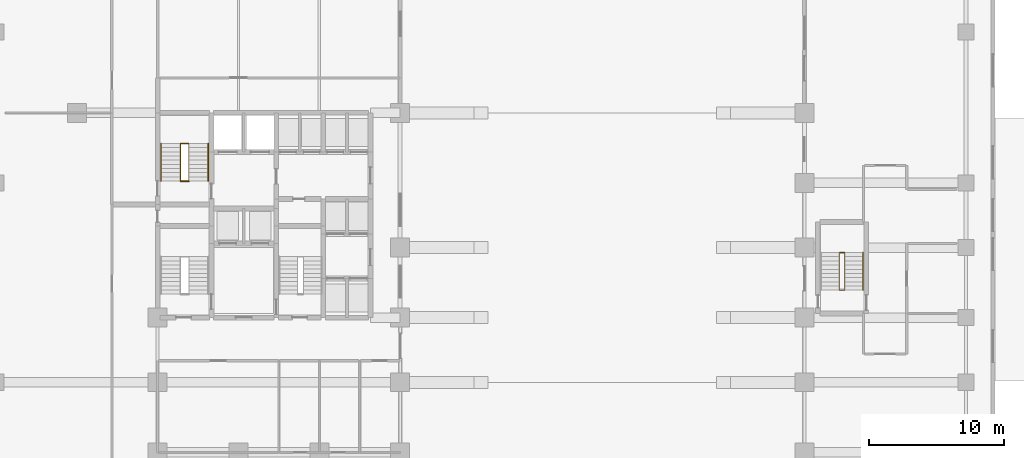
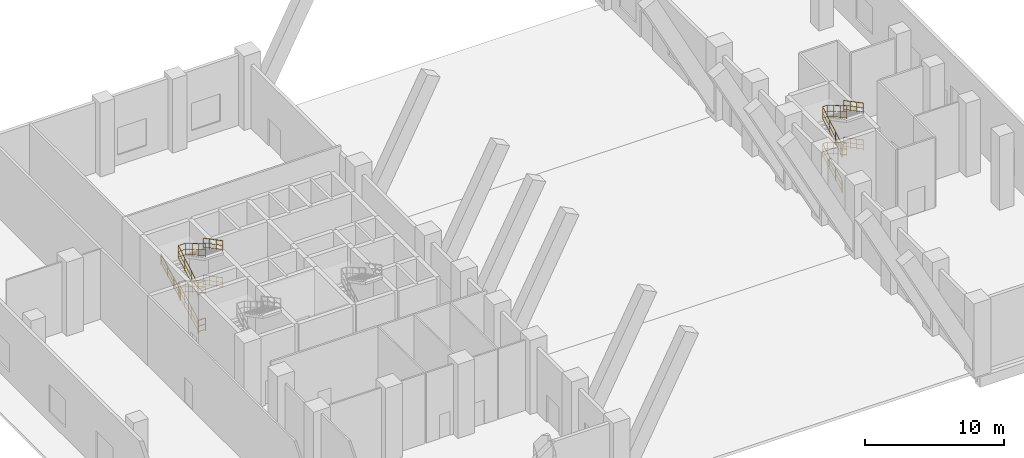
# One storey, part 9 of 10: 8 railings.
"""IFC4 building model written with IfcOpenShell, lengths in metres."""

from ifc_helpers import new_model, si_unit, direction, frame, origin, origin_2d, place, context, subcontext, project, spatial, circle, extrude, material, layer, layer_set, type_object, element, save


model = new_model("IFC4")

# Units and contexts
model_context = context("Model", 3, precision=1e-05, world=origin(), true_north=direction((0.0, 1.0)))
body_context = subcontext(model_context, "Body", "Model", "MODEL_VIEW")
ifc_project = project(units=[si_unit("LENGTHUNIT", "METRE"), si_unit("AREAUNIT", "SQUARE_METRE"), si_unit("VOLUMEUNIT", "CUBIC_METRE"), si_unit("PLANEANGLEUNIT", "RADIAN"), si_unit("MASSUNIT", "GRAM", prefix="KILO")], contexts=[model_context])

# Site, building, storey
site_placement = place(None, origin())
site = spatial("IfcSite", under=ifc_project, at=site_placement, CompositionType="ELEMENT")
building_placement = place(site_placement, origin())
building = spatial("IfcBuilding", under=site, at=building_placement, Name="Keshet Zoharim Tower", CompositionType="ELEMENT")
storey_placement = place(building_placement, origin())
storey = spatial("IfcBuildingStorey", under=building, at=storey_placement, Name="L00", CompositionType="ELEMENT", Elevation=0.0)

# Railings
ifc_material = material(Name="Steel S355", Category="steel")
ifc_layer_1 = layer(ifc_material, 0.050048828125)
ifc_layer_set_1 = layer_set([ifc_layer_1], Name="Steel S355")
railing_type_1 = type_object("IfcRailingType", Name="RL-HND-092", PredefinedType="HANDRAIL", material=ifc_layer_set_1)
railing_1_placement = place(storey_placement, frame((18.760009765625, 35.6298828125, 1.78759765625)))
element("IfcRailing", 1, at=railing_1_placement, inside=storey, type_object=railing_type_1, Name="L00 ST-02 Flight 2 Wall Handrail", PredefinedType="HANDRAIL", context=body_context, shape_type="SweptSolid", body=[
    extrude(circle(Radius=0.02392578125, at=origin_2d()), frame((0.0, 0.0, 0.89599609375), z_axis=(0.0, -0.88569040667, 0.46427632239), x_axis=(1.0, 0.0, 0.0)), (0.0, 0.0, 1.0), 3.14990234375),
    extrude(circle(Radius=0.01611328125, at=origin_2d()), frame((0.0, 0.0, 0.478271484375), z_axis=(0.0, -0.88569040667, 0.46427632239), x_axis=(1.0, 0.0, 0.0)), (0.0, 0.0, 1.0), 3.14990234375),
    extrude(circle(Radius=0.01611328125, at=origin_2d()), frame((0.0, 0.0, 0.1201171875), z_axis=(0.0, -0.88569040667, 0.46427632239), x_axis=(1.0, 0.0, 0.0)), (0.0, 0.0, 1.0), 3.14990234375),
    extrude(circle(Radius=0.02099609375, at=origin_2d()), origin(), (0.0, 0.0, 1.0), 0.871826171875),
    extrude(circle(Radius=0.02099609375, at=origin_2d()), frame((0.0, -0.929931640625, 0.487548828125)), (0.0, 0.0, 1.0), 0.871826171875),
    extrude(circle(Radius=0.02099609375, at=origin_2d()), frame((0.0, -1.85986328125, 0.974853515625)), (0.0, 0.0, 1.0), 0.871826171875),
    extrude(circle(Radius=0.02099609375, at=origin_2d()), frame((0.0, -2.789794921875, 1.46240234375)), (0.0, 0.0, 1.0), 0.871826171875),
])
railing_2_placement = place(storey_placement, frame((15.239990234375, 32.840087890625, 3.41259765625)))
element("IfcRailing", 2, at=railing_2_placement, inside=storey, type_object=railing_type_1, Name="L00 ST-02 Flight 3 Wall Handrail", PredefinedType="HANDRAIL", context=body_context, shape_type="SweptSolid", body=[
    extrude(circle(Radius=0.02392578125, at=origin_2d()), frame((0.0, 0.0, 0.89599609375), z_axis=(0.0, 0.88569040667, 0.46427632239), x_axis=(-1.0, 0.0, 0.0)), (0.0, 0.0, 1.0), 3.14990234375),
    extrude(circle(Radius=0.01611328125, at=origin_2d()), frame((0.0, 0.0, 0.478271484375), z_axis=(0.0, 0.88569040667, 0.46427632239), x_axis=(-1.0, 0.0, 0.0)), (0.0, 0.0, 1.0), 3.14990234375),
    extrude(circle(Radius=0.01611328125, at=origin_2d()), frame((0.0, 0.0, 0.1201171875), z_axis=(0.0, 0.88569040667, 0.46427632239), x_axis=(-1.0, 0.0, 0.0)), (0.0, 0.0, 1.0), 3.14990234375),
    extrude(circle(Radius=0.02099609375, at=origin_2d()), origin(), (0.0, 0.0, 1.0), 0.871826171875),
    extrude(circle(Radius=0.02099609375, at=origin_2d()), frame((0.0, 0.929931640625, 0.487548828125)), (0.0, 0.0, 1.0), 0.871826171875),
    extrude(circle(Radius=0.02099609375, at=origin_2d()), frame((0.0, 1.85986328125, 0.974853515625)), (0.0, 0.0, 1.0), 0.871826171875),
    extrude(circle(Radius=0.02099609375, at=origin_2d()), frame((0.0, 2.789794921875, 1.46240234375)), (0.0, 0.0, 1.0), 0.871826171875),
])
railing_3_placement = place(storey_placement, frame((18.760009765625, 35.6298828125, 5.03759765625)))
element("IfcRailing", 3, at=railing_3_placement, inside=storey, type_object=railing_type_1, Name="L00 ST-02 Flight 4 Wall Handrail", PredefinedType="HANDRAIL", context=body_context, shape_type="SweptSolid", body=[
    extrude(circle(Radius=0.02392578125, at=origin_2d()), frame((0.0, 0.0, 0.89599609375), z_axis=(0.0, -0.88569040667, 0.46427632239), x_axis=(1.0, 0.0, 0.0)), (0.0, 0.0, 1.0), 3.14990234375),
    extrude(circle(Radius=0.01611328125, at=origin_2d()), frame((0.0, 0.0, 0.478271484375), z_axis=(0.0, -0.88569040667, 0.46427632239), x_axis=(1.0, 0.0, 0.0)), (0.0, 0.0, 1.0), 3.14990234375),
    extrude(circle(Radius=0.01611328125, at=origin_2d()), frame((0.0, 0.0, 0.1201171875), z_axis=(0.0, -0.88569040667, 0.46427632239), x_axis=(1.0, 0.0, 0.0)), (0.0, 0.0, 1.0), 3.14990234375),
    extrude(circle(Radius=0.02099609375, at=origin_2d()), origin(), (0.0, 0.0, 1.0), 0.871826171875),
    extrude(circle(Radius=0.02099609375, at=origin_2d()), frame((0.0, -0.929931640625, 0.487548828125)), (0.0, 0.0, 1.0), 0.871826171875),
    extrude(circle(Radius=0.02099609375, at=origin_2d()), frame((0.0, -1.85986328125, 0.974853515625)), (0.0, 0.0, 1.0), 0.871826171875),
    extrude(circle(Radius=0.02099609375, at=origin_2d()), frame((0.0, -2.789794921875, 1.46240234375)), (0.0, 0.0, 1.0), 0.871826171875),
])
for number, where, name in (
    (4, (67.360107421875, 27.530029296875, 1.78759765625), "L00 ST-04 Flight 2 Wall Handrail"),
    (5, (67.360107421875, 27.530029296875, 5.03759765625), "L00 ST-04 Flight 4 Wall Handrail"),
):
    element("IfcRailing", number, at=place(storey_placement, frame(where)), inside=storey, type_object=railing_type_1, Name=name, PredefinedType="HANDRAIL", context=body_context, shape_type="SweptSolid", body=[
        extrude(circle(Radius=0.02392578125, at=origin_2d()), frame((0.0, 0.0, 0.89599609375), z_axis=(0.0, -0.885707112116, 0.46424445236), x_axis=(1.0, 0.0, 0.0)), (0.0, 0.0, 1.0), 3.150146484375),
        extrude(circle(Radius=0.01611328125, at=origin_2d()), frame((0.0, 0.0, 0.478271484375), z_axis=(0.0, -0.885707112116, 0.46424445236), x_axis=(1.0, 0.0, 0.0)), (0.0, 0.0, 1.0), 3.150146484375),
        extrude(circle(Radius=0.01611328125, at=origin_2d()), frame((0.0, 0.0, 0.1201171875), z_axis=(0.0, -0.885707112116, 0.46424445236), x_axis=(1.0, 0.0, 0.0)), (0.0, 0.0, 1.0), 3.150146484375),
        extrude(circle(Radius=0.02099609375, at=origin_2d()), origin(), (0.0, 0.0, 1.0), 0.871826171875),
        extrude(circle(Radius=0.02099609375, at=origin_2d()), frame((0.0, -0.929931640625, 0.487548828125)), (0.0, 0.0, 1.0), 0.871826171875),
        extrude(circle(Radius=0.02099609375, at=origin_2d()), frame((0.0, -1.860107421875, 0.974853515625)), (0.0, 0.0, 1.0), 0.871826171875),
        extrude(circle(Radius=0.02099609375, at=origin_2d()), frame((0.0, -2.7900390625, 1.46240234375)), (0.0, 0.0, 1.0), 0.871826171875),
    ])
ifc_layer_2 = layer(ifc_material, 0.06005859375)
ifc_layer_set_2 = layer_set([ifc_layer_2], Name="Steel S355")
railing_type_2 = type_object("IfcRailingType", Name="RL-STG-115", PredefinedType="GUARDRAIL", material=ifc_layer_set_2)
railing_4_placement = place(storey_placement, frame((16.68994140625, 32.840087890625, 0.16259765625)))
element("IfcRailing", 6, at=railing_4_placement, inside=storey, type_object=railing_type_2, Name="L00 ST-02 Inner Well Guardrail", PredefinedType="GUARDRAIL", context=body_context, shape_type="SweptSolid", body=[
    extrude(circle(Radius=0.02392578125, at=origin_2d()), frame((0.0, 0.0, 1.1259765625), z_axis=(0.0, 0.88569040667, 0.46427632239), x_axis=(-1.0, 0.0, 0.0)), (0.0, 0.0, 1.0), 3.14990234375),
    extrude(circle(Radius=0.01611328125, at=origin_2d()), frame((0.0, 0.0, 0.597900390625), z_axis=(0.0, 0.88569040667, 0.46427632239), x_axis=(-1.0, 0.0, 0.0)), (0.0, 0.0, 1.0), 3.14990234375),
    extrude(circle(Radius=0.01611328125, at=origin_2d()), frame((0.0, 0.0, 0.1201171875), z_axis=(0.0, 0.88569040667, 0.46427632239), x_axis=(-1.0, 0.0, 0.0)), (0.0, 0.0, 1.0), 3.14990234375),
    extrude(circle(Radius=0.02392578125, at=origin_2d()), frame((0.0, 2.789794921875, 2.58837890625), z_axis=(1.0, 0.0, 0.0), x_axis=(0.0, 1.0, 0.0)), (0.0, 0.0, 1.0), 0.6201171875),
    extrude(circle(Radius=0.01611328125, at=origin_2d()), frame((0.0, 2.789794921875, 2.060302734375), z_axis=(1.0, 0.0, 0.0), x_axis=(0.0, 1.0, 0.0)), (0.0, 0.0, 1.0), 0.6201171875),
    extrude(circle(Radius=0.01611328125, at=origin_2d()), frame((0.0, 2.789794921875, 1.58251953125), z_axis=(1.0, 0.0, 0.0), x_axis=(0.0, 1.0, 0.0)), (0.0, 0.0, 1.0), 0.6201171875),
    extrude(circle(Radius=0.02392578125, at=origin_2d()), frame((0.6201171875, 2.789794921875, 2.58837890625), z_axis=(0.0, -0.864099617206, 0.503320823674), x_axis=(1.0, 0.0, 0.0)), (0.0, 0.0, 1.0), 3.228515625),
    extrude(circle(Radius=0.01611328125, at=origin_2d()), frame((0.6201171875, 2.789794921875, 2.060302734375), z_axis=(0.0, -0.864099617206, 0.503320823674), x_axis=(1.0, 0.0, 0.0)), (0.0, 0.0, 1.0), 3.228515625),
    extrude(circle(Radius=0.01611328125, at=origin_2d()), frame((0.6201171875, 2.789794921875, 1.58251953125), z_axis=(0.0, -0.864099617206, 0.503320823674), x_axis=(1.0, 0.0, 0.0)), (0.0, 0.0, 1.0), 3.228515625),
    extrude(circle(Radius=0.02392578125, at=origin_2d()), frame((0.6201171875, 0.0, 4.21337890625), z_axis=(-1.0, 0.0, 0.0), x_axis=(0.0, -1.0, 0.0)), (0.0, 0.0, 1.0), 0.6201171875),
    extrude(circle(Radius=0.01611328125, at=origin_2d()), frame((0.6201171875, 0.0, 3.685302734375), z_axis=(-1.0, 0.0, 0.0), x_axis=(0.0, -1.0, 0.0)), (0.0, 0.0, 1.0), 0.6201171875),
    extrude(circle(Radius=0.01611328125, at=origin_2d()), frame((0.6201171875, 0.0, 3.20751953125), z_axis=(-1.0, 0.0, 0.0), x_axis=(0.0, -1.0, 0.0)), (0.0, 0.0, 1.0), 0.6201171875),
    extrude(circle(Radius=0.02392578125, at=origin_2d()), frame((0.0, 0.0, 4.21337890625), z_axis=(0.0, 0.864099617206, 0.503320823674), x_axis=(-1.0, 0.0, 0.0)), (0.0, 0.0, 1.0), 3.228515625),
    extrude(circle(Radius=0.01611328125, at=origin_2d()), frame((0.0, 0.0, 3.685302734375), z_axis=(0.0, 0.864099617206, 0.503320823674), x_axis=(-1.0, 0.0, 0.0)), (0.0, 0.0, 1.0), 3.228515625),
    extrude(circle(Radius=0.01611328125, at=origin_2d()), frame((0.0, 0.0, 3.20751953125), z_axis=(0.0, 0.864099617206, 0.503320823674), x_axis=(-1.0, 0.0, 0.0)), (0.0, 0.0, 1.0), 3.228515625),
    extrude(circle(Radius=0.02392578125, at=origin_2d()), frame((0.0, 2.789794921875, 5.83837890625), z_axis=(1.0, 0.0, 0.0), x_axis=(0.0, 1.0, 0.0)), (0.0, 0.0, 1.0), 0.6201171875),
    extrude(circle(Radius=0.01611328125, at=origin_2d()), frame((0.0, 2.789794921875, 5.310302734375), z_axis=(1.0, 0.0, 0.0), x_axis=(0.0, 1.0, 0.0)), (0.0, 0.0, 1.0), 0.6201171875),
    extrude(circle(Radius=0.01611328125, at=origin_2d()), frame((0.0, 2.789794921875, 4.83251953125), z_axis=(1.0, 0.0, 0.0), x_axis=(0.0, 1.0, 0.0)), (0.0, 0.0, 1.0), 0.6201171875),
    extrude(circle(Radius=0.02392578125, at=origin_2d()), frame((0.6201171875, 2.789794921875, 5.83837890625), z_axis=(0.0, -0.864099617206, 0.503320823674), x_axis=(1.0, 0.0, 0.0)), (0.0, 0.0, 1.0), 3.228515625),
    extrude(circle(Radius=0.01611328125, at=origin_2d()), frame((0.6201171875, 2.789794921875, 5.310302734375), z_axis=(0.0, -0.864099617206, 0.503320823674), x_axis=(1.0, 0.0, 0.0)), (0.0, 0.0, 1.0), 3.228515625),
    extrude(circle(Radius=0.01611328125, at=origin_2d()), frame((0.6201171875, 2.789794921875, 4.83251953125), z_axis=(0.0, -0.864099617206, 0.503320823674), x_axis=(1.0, 0.0, 0.0)), (0.0, 0.0, 1.0), 3.228515625),
    extrude(circle(Radius=0.02099609375, at=origin_2d()), origin(), (0.0, 0.0, 1.0), 1.101806640625),
    extrude(circle(Radius=0.02099609375, at=origin_2d()), frame((0.0, 0.929931640625, 0.487548828125)), (0.0, 0.0, 1.0), 1.101806640625),
    extrude(circle(Radius=0.02099609375, at=origin_2d()), frame((0.0, 1.85986328125, 0.974853515625)), (0.0, 0.0, 1.0), 1.101806640625),
    extrude(circle(Radius=0.02099609375, at=origin_2d()), frame((0.0, 2.789794921875, 1.46240234375)), (0.0, 0.0, 1.0), 1.101806640625),
    extrude(circle(Radius=0.02099609375, at=origin_2d()), frame((0.6201171875, 2.789794921875, 1.46240234375)), (0.0, 0.0, 1.0), 1.101806640625),
    extrude(circle(Radius=0.02099609375, at=origin_2d()), frame((0.6201171875, 1.85986328125, 2.004150390625)), (0.0, 0.0, 1.0), 1.101806640625),
    extrude(circle(Radius=0.02099609375, at=origin_2d()), frame((0.6201171875, 0.929931640625, 2.545654296875)), (0.0, 0.0, 1.0), 1.101806640625),
    extrude(circle(Radius=0.02099609375, at=origin_2d()), frame((0.6201171875, 0.0, 3.08740234375)), (0.0, 0.0, 1.0), 1.101806640625),
    extrude(circle(Radius=0.02099609375, at=origin_2d()), frame((0.0, 0.0, 3.08740234375)), (0.0, 0.0, 1.0), 1.101806640625),
    extrude(circle(Radius=0.02099609375, at=origin_2d()), frame((0.0, 0.929931640625, 3.629150390625)), (0.0, 0.0, 1.0), 1.101806640625),
    extrude(circle(Radius=0.02099609375, at=origin_2d()), frame((0.0, 1.85986328125, 4.170654296875)), (0.0, 0.0, 1.0), 1.101806640625),
    extrude(circle(Radius=0.02099609375, at=origin_2d()), frame((0.0, 2.789794921875, 4.71240234375)), (0.0, 0.0, 1.0), 1.101806640625),
    extrude(circle(Radius=0.02099609375, at=origin_2d()), frame((0.6201171875, 2.789794921875, 4.71240234375)), (0.0, 0.0, 1.0), 1.101806640625),
    extrude(circle(Radius=0.02099609375, at=origin_2d()), frame((0.6201171875, 1.85986328125, 5.254150390625)), (0.0, 0.0, 1.0), 1.101806640625),
    extrude(circle(Radius=0.02099609375, at=origin_2d()), frame((0.6201171875, 0.929931640625, 5.795654296875)), (0.0, 0.0, 1.0), 1.101806640625),
    extrude(circle(Radius=0.02099609375, at=origin_2d()), frame((0.6201171875, 0.0, 6.33740234375)), (0.0, 0.0, 1.0), 1.101806640625),
])
railing_5_placement = place(storey_placement, frame((16.68994140625, 32.81005859375, 0.0)))
element("IfcRailing", 7, at=railing_5_placement, inside=storey, type_object=railing_type_2, Name="L00 ST-02 Stairwell Floor Guardrail", PredefinedType="GUARDRAIL", context=body_context, shape_type="SweptSolid", body=[
    extrude(circle(Radius=0.02392578125, at=origin_2d()), frame((0.0, 0.0, 1.1259765625), z_axis=(1.0, 0.0, 0.0), x_axis=(0.0, 1.0, 0.0)), (0.0, 0.0, 1.0), 0.6201171875),
    extrude(circle(Radius=0.01611328125, at=origin_2d()), frame((0.0, 0.0, 0.597900390625), z_axis=(1.0, 0.0, 0.0), x_axis=(0.0, 1.0, 0.0)), (0.0, 0.0, 1.0), 0.6201171875),
    extrude(circle(Radius=0.01611328125, at=origin_2d()), frame((0.0, 0.0, 0.1201171875), z_axis=(1.0, 0.0, 0.0), x_axis=(0.0, 1.0, 0.0)), (0.0, 0.0, 1.0), 0.6201171875),
    extrude(circle(Radius=0.02099609375, at=origin_2d()), origin(), (0.0, 0.0, 1.0), 1.101806640625),
    extrude(circle(Radius=0.02099609375, at=origin_2d()), frame((0.6201171875, 0.0, 0.0)), (0.0, 0.0, 1.0), 1.101806640625),
])
railing_6_placement = place(storey_placement, frame((65.60009765625, 24.739990234375, 0.16259765625)))
element("IfcRailing", 8, at=railing_6_placement, inside=storey, type_object=railing_type_2, Name="L00 ST-04 Inner Well Guardrail", PredefinedType="GUARDRAIL", context=body_context, shape_type="SweptSolid", body=[
    extrude(circle(Radius=0.02392578125, at=origin_2d()), frame((0.0, 0.0, 1.1259765625), z_axis=(0.0, 0.885707112116, 0.46424445236), x_axis=(-1.0, 0.0, 0.0)), (0.0, 0.0, 1.0), 3.150146484375),
    extrude(circle(Radius=0.01611328125, at=origin_2d()), frame((0.0, 0.0, 0.597900390625), z_axis=(0.0, 0.885707112116, 0.46424445236), x_axis=(-1.0, 0.0, 0.0)), (0.0, 0.0, 1.0), 3.150146484375),
    extrude(circle(Radius=0.01611328125, at=origin_2d()), frame((0.0, 0.0, 0.1201171875), z_axis=(0.0, 0.885707112116, 0.46424445236), x_axis=(-1.0, 0.0, 0.0)), (0.0, 0.0, 1.0), 3.150146484375),
    extrude(circle(Radius=0.02392578125, at=origin_2d()), frame((0.0, 2.7900390625, 2.58837890625), z_axis=(1.0, 0.0, 0.0), x_axis=(0.0, 1.0, 0.0)), (0.0, 0.0, 1.0), 0.39990234375),
    extrude(circle(Radius=0.01611328125, at=origin_2d()), frame((0.0, 2.7900390625, 2.060302734375), z_axis=(1.0, 0.0, 0.0), x_axis=(0.0, 1.0, 0.0)), (0.0, 0.0, 1.0), 0.39990234375),
    extrude(circle(Radius=0.01611328125, at=origin_2d()), frame((0.0, 2.7900390625, 1.58251953125), z_axis=(1.0, 0.0, 0.0), x_axis=(0.0, 1.0, 0.0)), (0.0, 0.0, 1.0), 0.39990234375),
    extrude(circle(Radius=0.02392578125, at=origin_2d()), frame((0.39990234375, 2.7900390625, 2.58837890625), z_axis=(0.0, -0.864118772059, 0.503287937244), x_axis=(1.0, 0.0, 0.0)), (0.0, 0.0, 1.0), 3.228759765625),
    extrude(circle(Radius=0.01611328125, at=origin_2d()), frame((0.39990234375, 2.7900390625, 2.060302734375), z_axis=(0.0, -0.864118772059, 0.503287937244), x_axis=(1.0, 0.0, 0.0)), (0.0, 0.0, 1.0), 3.228759765625),
    extrude(circle(Radius=0.01611328125, at=origin_2d()), frame((0.39990234375, 2.7900390625, 1.58251953125), z_axis=(0.0, -0.864118772059, 0.503287937244), x_axis=(1.0, 0.0, 0.0)), (0.0, 0.0, 1.0), 3.228759765625),
    extrude(circle(Radius=0.02392578125, at=origin_2d()), frame((0.39990234375, 0.0, 4.21337890625), z_axis=(-1.0, 0.0, 0.0), x_axis=(0.0, -1.0, 0.0)), (0.0, 0.0, 1.0), 0.39990234375),
    extrude(circle(Radius=0.01611328125, at=origin_2d()), frame((0.39990234375, 0.0, 3.685302734375), z_axis=(-1.0, 0.0, 0.0), x_axis=(0.0, -1.0, 0.0)), (0.0, 0.0, 1.0), 0.39990234375),
    extrude(circle(Radius=0.01611328125, at=origin_2d()), frame((0.39990234375, 0.0, 3.20751953125), z_axis=(-1.0, 0.0, 0.0), x_axis=(0.0, -1.0, 0.0)), (0.0, 0.0, 1.0), 0.39990234375),
    extrude(circle(Radius=0.02392578125, at=origin_2d()), frame((0.0, 0.0, 4.21337890625), z_axis=(0.0, 0.864118772059, 0.503287937244), x_axis=(-1.0, 0.0, 0.0)), (0.0, 0.0, 1.0), 3.228759765625),
    extrude(circle(Radius=0.01611328125, at=origin_2d()), frame((0.0, 0.0, 3.685302734375), z_axis=(0.0, 0.864118772059, 0.503287937244), x_axis=(-1.0, 0.0, 0.0)), (0.0, 0.0, 1.0), 3.228759765625),
    extrude(circle(Radius=0.01611328125, at=origin_2d()), frame((0.0, 0.0, 3.20751953125), z_axis=(0.0, 0.864118772059, 0.503287937244), x_axis=(-1.0, 0.0, 0.0)), (0.0, 0.0, 1.0), 3.228759765625),
    extrude(circle(Radius=0.02392578125, at=origin_2d()), frame((0.0, 2.7900390625, 5.83837890625), z_axis=(1.0, 0.0, 0.0), x_axis=(0.0, 1.0, 0.0)), (0.0, 0.0, 1.0), 0.39990234375),
    extrude(circle(Radius=0.01611328125, at=origin_2d()), frame((0.0, 2.7900390625, 5.310302734375), z_axis=(1.0, 0.0, 0.0), x_axis=(0.0, 1.0, 0.0)), (0.0, 0.0, 1.0), 0.39990234375),
    extrude(circle(Radius=0.01611328125, at=origin_2d()), frame((0.0, 2.7900390625, 4.83251953125), z_axis=(1.0, 0.0, 0.0), x_axis=(0.0, 1.0, 0.0)), (0.0, 0.0, 1.0), 0.39990234375),
    extrude(circle(Radius=0.02392578125, at=origin_2d()), frame((0.39990234375, 2.7900390625, 5.83837890625), z_axis=(0.0, -0.864118772059, 0.503287937244), x_axis=(1.0, 0.0, 0.0)), (0.0, 0.0, 1.0), 3.228759765625),
    extrude(circle(Radius=0.01611328125, at=origin_2d()), frame((0.39990234375, 2.7900390625, 5.310302734375), z_axis=(0.0, -0.864118772059, 0.503287937244), x_axis=(1.0, 0.0, 0.0)), (0.0, 0.0, 1.0), 3.228759765625),
    extrude(circle(Radius=0.01611328125, at=origin_2d()), frame((0.39990234375, 2.7900390625, 4.83251953125), z_axis=(0.0, -0.864118772059, 0.503287937244), x_axis=(1.0, 0.0, 0.0)), (0.0, 0.0, 1.0), 3.228759765625),
    extrude(circle(Radius=0.02099609375, at=origin_2d()), origin(), (0.0, 0.0, 1.0), 1.101806640625),
    extrude(circle(Radius=0.02099609375, at=origin_2d()), frame((0.0, 0.929931640625, 0.487548828125)), (0.0, 0.0, 1.0), 1.101806640625),
    extrude(circle(Radius=0.02099609375, at=origin_2d()), frame((0.0, 1.860107421875, 0.974853515625)), (0.0, 0.0, 1.0), 1.101806640625),
    extrude(circle(Radius=0.02099609375, at=origin_2d()), frame((0.0, 2.7900390625, 1.46240234375)), (0.0, 0.0, 1.0), 1.101806640625),
    extrude(circle(Radius=0.02099609375, at=origin_2d()), frame((0.39990234375, 2.7900390625, 1.46240234375)), (0.0, 0.0, 1.0), 1.101806640625),
    extrude(circle(Radius=0.02099609375, at=origin_2d()), frame((0.39990234375, 1.860107421875, 2.004150390625)), (0.0, 0.0, 1.0), 1.101806640625),
    extrude(circle(Radius=0.02099609375, at=origin_2d()), frame((0.39990234375, 0.929931640625, 2.545654296875)), (0.0, 0.0, 1.0), 1.101806640625),
    extrude(circle(Radius=0.02099609375, at=origin_2d()), frame((0.39990234375, 0.0, 3.08740234375)), (0.0, 0.0, 1.0), 1.101806640625),
    extrude(circle(Radius=0.02099609375, at=origin_2d()), frame((0.0, 0.0, 3.08740234375)), (0.0, 0.0, 1.0), 1.101806640625),
    extrude(circle(Radius=0.02099609375, at=origin_2d()), frame((0.0, 0.929931640625, 3.629150390625)), (0.0, 0.0, 1.0), 1.101806640625),
    extrude(circle(Radius=0.02099609375, at=origin_2d()), frame((0.0, 1.860107421875, 4.170654296875)), (0.0, 0.0, 1.0), 1.101806640625),
    extrude(circle(Radius=0.02099609375, at=origin_2d()), frame((0.0, 2.7900390625, 4.71240234375)), (0.0, 0.0, 1.0), 1.101806640625),
    extrude(circle(Radius=0.02099609375, at=origin_2d()), frame((0.39990234375, 2.7900390625, 4.71240234375)), (0.0, 0.0, 1.0), 1.101806640625),
    extrude(circle(Radius=0.02099609375, at=origin_2d()), frame((0.39990234375, 1.860107421875, 5.254150390625)), (0.0, 0.0, 1.0), 1.101806640625),
    extrude(circle(Radius=0.02099609375, at=origin_2d()), frame((0.39990234375, 0.929931640625, 5.795654296875)), (0.0, 0.0, 1.0), 1.101806640625),
    extrude(circle(Radius=0.02099609375, at=origin_2d()), frame((0.39990234375, 0.0, 6.33740234375)), (0.0, 0.0, 1.0), 1.101806640625),
])

save(model, "model.ifc")
